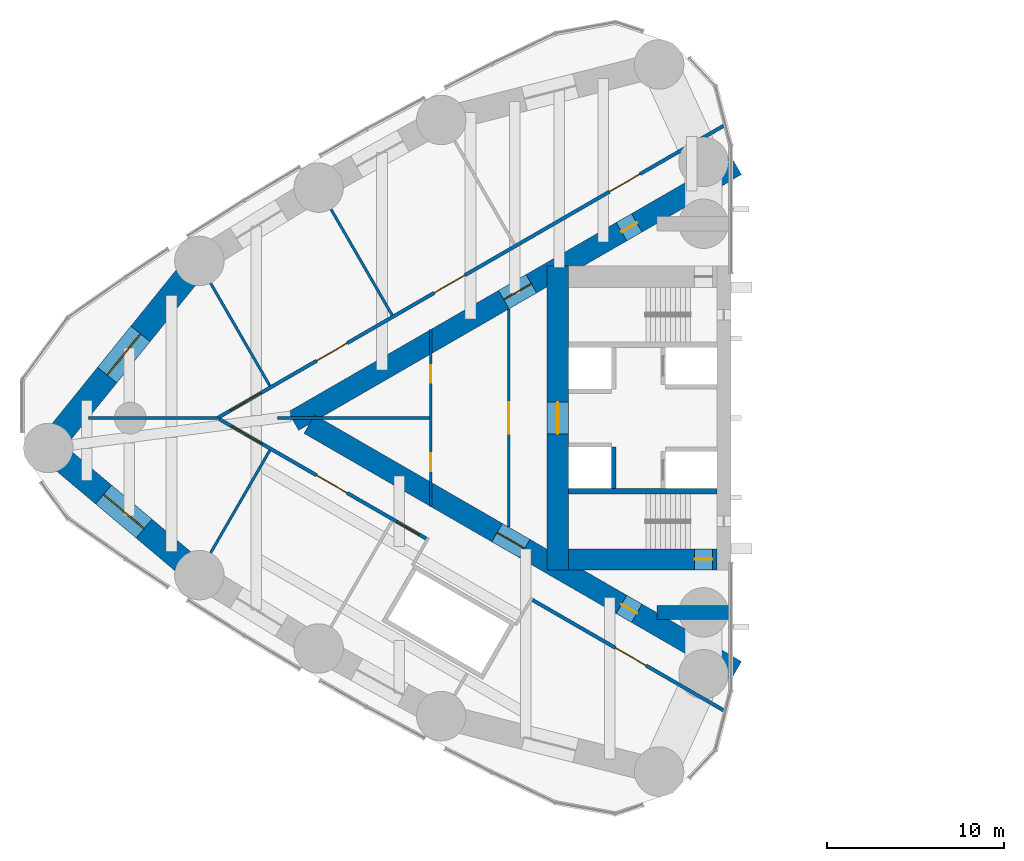
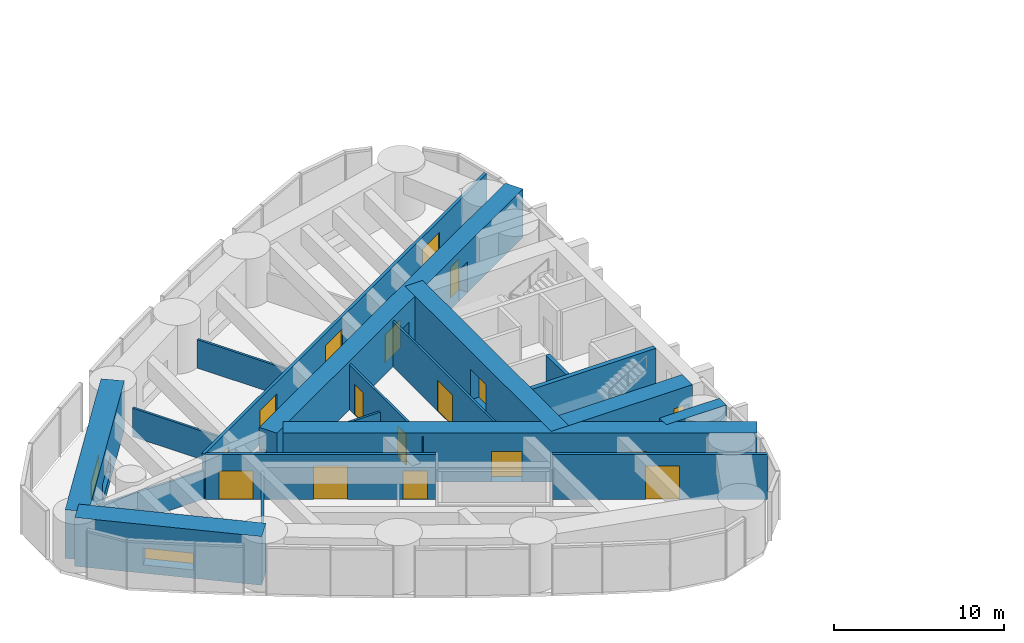
# One storey, part 12 of 17: 19 walls, 17 doors, 2 windows, 19 openings.
"""IFC4 building model written with IfcOpenShell, lengths in metres."""

import ifcopenshell
import ifcopenshell.guid

model = None  # the IFC model being written
_history = None  # IfcOwnerHistory: only IFC2X3 demands one
_inside = {}  # id of a spatial element -> (the spatial element, [elements in it])
_under = {}  # id of a project, library or spatial element -> (it, [spatial elements below it])
_declared = {}  # id of a project -> (the project, [libraries it declares])
_typed = {}  # id of a type object -> (the type object, [elements of that type])
_made_of = {}  # id of a material, layer set ... -> (it, [elements and type objects made of it])


def new_model(schema):
    """Start an empty IFC model of exactly this schema.

    Asked for "IFC4X3", IfcOpenShell would pick the latest addendum, in which some entities
    have other attributes; the version numbers below select the first issue.
    IFC2X3 requires an IfcOwnerHistory on every rooted entity: one is made here for all.
    """
    global model, _history
    if schema == "IFC4X3":
        model = ifcopenshell.file(schema_version=(4, 3, 0, 0))
    else:
        model = ifcopenshell.file(schema=schema)
    _inside.clear()
    _under.clear()
    _declared.clear()
    _typed.clear()
    _made_of.clear()
    _history = None
    if model.schema == "IFC2X3":
        org = make("IfcOrganization", Name="unknown")
        user = make(
            "IfcPersonAndOrganization",
            ThePerson=make("IfcPerson", FamilyName="unknown"),
            TheOrganization=org,
        )
        app = make(
            "IfcApplication",
            ApplicationDeveloper=org,
            Version="unknown",
            ApplicationFullName="unknown",
            ApplicationIdentifier="unknown",
        )
        _history = make(
            "IfcOwnerHistory",
            OwningUser=user,
            OwningApplication=app,
            ChangeAction="ADDED",
            CreationDate=0,
        )
    return model


def make(cls, **values):
    """One entity of the class cls with the attributes given. An attribute that is None is left unset."""
    return model.create_entity(
        cls, **{name: value for name, value in values.items() if value is not None}
    )


def rooted(cls, **values):
    """An entity with a GlobalId (a new one), such as an element, a storey or a relation."""
    return make(cls, GlobalId=ifcopenshell.guid.new(), OwnerHistory=_history, **values)


def si_unit(unit_type, name, prefix=None):
    """IfcSIUnit, for example si_unit("LENGTHUNIT", "METRE", prefix="MILLI")."""
    return make("IfcSIUnit", UnitType=unit_type, Prefix=prefix, Name=name)


def assignment(units):
    """IfcUnitAssignment: the units of a project."""
    return None if units is None else make("IfcUnitAssignment", Units=units)


def point(xyz):
    """IfcCartesianPoint."""
    return None if xyz is None else make("IfcCartesianPoint", Coordinates=xyz)


def direction(xyz):
    """IfcDirection."""
    return None if xyz is None else make("IfcDirection", DirectionRatios=xyz)


def frame(location, z_axis=None, x_axis=None):
    """IfcAxis2Placement3D, a coordinate frame: its origin and axes. An axis left out is left unset."""
    return make(
        "IfcAxis2Placement3D",
        Location=point(location),
        Axis=direction(z_axis),
        RefDirection=direction(x_axis),
    )


def frame_2d(location, x_axis=None):
    """IfcAxis2Placement2D, a coordinate frame in the plane: its origin and x axis."""
    return make(
        "IfcAxis2Placement2D", Location=point(location), RefDirection=direction(x_axis)
    )


def origin():
    """The frame at (0, 0, 0) with its axes left unset."""
    return frame((0.0, 0.0, 0.0))


def place(relative_to, where):
    """IfcLocalPlacement: puts the frame where relative to a parent placement (None: the world)."""
    return make(
        "IfcLocalPlacement", PlacementRelTo=relative_to, RelativePlacement=where
    )


def context(
    kind, dimensions, precision=None, world=None, true_north=None, identifier=None
):
    """IfcGeometricRepresentationContext, for example the 3D "Model" context."""
    return make(
        "IfcGeometricRepresentationContext",
        ContextIdentifier=identifier,
        ContextType=kind,
        CoordinateSpaceDimension=dimensions,
        Precision=precision,
        WorldCoordinateSystem=world,
        TrueNorth=true_north,
    )


def subcontext(parent, identifier, kind, view, scale=None):
    """IfcGeometricRepresentationSubContext, for example "Body" below "Model"."""
    return make(
        "IfcGeometricRepresentationSubContext",
        ContextIdentifier=identifier,
        ContextType=kind,
        ParentContext=parent,
        TargetScale=scale,
        TargetView=view,
    )


def project(units=None, contexts=None):
    """IfcProject with its units and contexts."""
    return rooted(
        "IfcProject",
        Name="project",
        RepresentationContexts=contexts,
        UnitsInContext=assignment(units),
    )


def spatial(cls, under=None, at=None, **own):
    """A site, building, storey or space (cls), placed at a placement, below another one or the project."""
    s = rooted(cls, ObjectPlacement=at, **own)
    if under is not None:
        _under.setdefault(under.id(), (under, []))[1].append(s)
    return s


def profile(cls, at=None, kind="AREA", **sizes):
    """A parametric profile (cls). Its sizes go by their IFC names, for example OverallWidth=200.0."""
    return make(cls, ProfileType=kind, Position=at, **sizes)


def rectangle(**sizes):
    """IfcRectangleProfileDef."""
    return profile("IfcRectangleProfileDef", **sizes)


def extrude(swept, where, along, depth):
    """IfcExtrudedAreaSolid: the profile swept, set in the frame where, extruded along a direction by depth."""
    return make(
        "IfcExtrudedAreaSolid",
        SweptArea=swept,
        Position=where,
        ExtrudedDirection=direction(along),
        Depth=depth,
    )


def shape(context_of_items, identifier, shape_type, items):
    """IfcShapeRepresentation: the items that make up one representation, for example the "Body"."""
    return make(
        "IfcShapeRepresentation",
        ContextOfItems=context_of_items,
        RepresentationIdentifier=identifier,
        RepresentationType=shape_type,
        Items=items,
    )


def material(Name=None, Category=None):
    """IfcMaterial."""
    return make("IfcMaterial", Name=Name, Category=Category)


def layer(
    of_material, thickness, ventilated=None, Name=None, Category=None, Priority=None
):
    """IfcMaterialLayer: one layer of a wall or slab, of a material (None: an air gap)."""
    return make(
        "IfcMaterialLayer",
        Material=of_material,
        LayerThickness=thickness,
        IsVentilated=ventilated,
        Name=Name,
        Category=Category,
        Priority=Priority,
    )


def layer_set(layers, Name=None):
    """IfcMaterialLayerSet."""
    return make("IfcMaterialLayerSet", MaterialLayers=layers, LayerSetName=Name)


def made_of(thing, what):
    """Note that an element or type object is made of a material, layer set ...; save() writes the relation."""
    if what is not None:
        _made_of.setdefault(what.id(), (what, []))[1].append(thing)
    return thing


def type_object(cls, material=None, **own):
    """A type object (cls), such as IfcWallType, which elements share."""
    return made_of(rooted(cls, **own), material)


def element(
    cls,
    number,
    at=None,
    inside=None,
    cuts=None,
    type_object=None,
    material=None,
    context=None,
    identifier="Body",
    shape_type=None,
    held_by="IfcProductDefinitionShape",
    body=None,
    shapes=None,
    **own,
):
    """One element of the class cls, such as IfcWall. Its Tag is "e" and its number.

    at: its placement. inside: the storey or other place that contains it. cuts: it is an
    opening in that element (IfcRelVoidsElement). A single representation is given by context,
    identifier, shape_type and body (its items); several are given by shapes. held_by: the class
    of the entity that holds the representations. save() writes the other relations.
    """
    e = rooted(cls, Tag="e%d" % number, ObjectPlacement=at, **own)
    if body is not None:
        shapes = [shape(context, identifier, shape_type, body)]
    if shapes is not None:
        e.Representation = make(held_by, Representations=shapes)
    if inside is not None:
        _inside.setdefault(inside.id(), (inside, []))[1].append(e)
    if cuts is not None:
        rooted(
            "IfcRelVoidsElement", RelatingBuildingElement=cuts, RelatedOpeningElement=e
        )
    if type_object is not None:
        _typed.setdefault(type_object.id(), (type_object, []))[1].append(e)
    return made_of(e, material)


def fill(opening, filler):
    """IfcRelFillsElement: the door or window that sits in an opening."""
    return rooted(
        "IfcRelFillsElement",
        RelatingOpeningElement=opening,
        RelatedBuildingElement=filler,
    )


def aggregate(whole, parts):
    """IfcRelAggregates: a whole, such as a stair, and the parts it consists of."""
    return rooted("IfcRelAggregates", RelatingObject=whole, RelatedObjects=parts)


def save(model, path):
    """Write the relations noted so far, then the file.

    IfcRelAggregates (storeys below a building ...), IfcRelContainedInSpatialStructure (elements
    in a storey), IfcRelDefinesByType, IfcRelAssociatesMaterial and IfcRelDeclares: one each for
    every whole, place, type object, material and project.
    """
    for whole, parts in _under.values():
        aggregate(whole, parts)
    for where, things in _inside.values():
        rooted(
            "IfcRelContainedInSpatialStructure",
            RelatedElements=things,
            RelatingStructure=where,
        )
    for kind, things in _typed.values():
        rooted("IfcRelDefinesByType", RelatedObjects=things, RelatingType=kind)
    for what, things in _made_of.values():
        rooted("IfcRelAssociatesMaterial", RelatedObjects=things, RelatingMaterial=what)
    for by, libraries in _declared.values():
        rooted("IfcRelDeclares", RelatingContext=by, RelatedDefinitions=libraries)
    model.write(path)


model = new_model("IFC4")

# Units and contexts
model_context = context("Model", 3, precision=1e-05, world=origin(), true_north=direction((0.0, 1.0)))
body_context = subcontext(model_context, "Body", "Model", "MODEL_VIEW")
ifc_project = project(units=[si_unit("LENGTHUNIT", "METRE"), si_unit("AREAUNIT", "SQUARE_METRE"), si_unit("VOLUMEUNIT", "CUBIC_METRE"), si_unit("PLANEANGLEUNIT", "RADIAN"), si_unit("MASSUNIT", "GRAM", prefix="KILO")], contexts=[model_context])

# Site, building, storey
site_placement = place(None, origin())
site = spatial("IfcSite", under=ifc_project, at=site_placement, CompositionType="ELEMENT")
building_placement = place(site_placement, origin())
building = spatial("IfcBuilding", under=site, at=building_placement, Name="Lancet Gate Hotel", CompositionType="ELEMENT")
storey_placement = place(building_placement, frame((0.0, 0.0, 201.800048828125)))
storey = spatial("IfcBuildingStorey", under=building, at=storey_placement, Name="L54", CompositionType="ELEMENT", Elevation=201.800048828125)

# Wall, opening, window
ifc_material_1 = material(Name="Concrete C80/95", Category="concrete")
ifc_layer_1 = layer(ifc_material_1, 1.39990234375)
ifc_layer_set_1 = layer_set([ifc_layer_1], Name="Belt wall 1400")
wall_type_1 = type_object("IfcWallType", Name="Belt wall 1400", PredefinedType="SHEAR", material=ifc_layer_set_1)
wall_1_placement = place(storey_placement, frame((-57.589599609375, 8.89306640625, 0.0), z_axis=(0.0, 0.0, 1.0), x_axis=(-0.628373846765, -0.777911504416, 0.0)))
wall_1 = element("IfcWall", 1, at=wall_1_placement, inside=storey, type_object=wall_type_1, Name="T1 belt wall OS3-CA L54", PredefinedType="SHEAR", context=body_context, shape_type="SweptSolid", body=[
    extrude(rectangle(XDim=13.611328125, YDim=1.39990234375, at=frame_2d((6.8056640625, 0.0))), origin(), (0.0, 0.0, 1.0), 3.5),
])
opening_1_placement = place(wall_1_placement, frame((5.3056640625, 0.0, 0.60009765625)))
opening_1 = element("IfcOpeningElement", 2, at=opening_1_placement, cuts=wall_1, Name="Opening LV1", PredefinedType="OPENING", context=body_context, shape_type="SweptSolid", body=[
    extrude(rectangle(XDim=3.0, YDim=1.199951171875, at=frame_2d((1.5, 0.60009765625))), frame((0.0, 0.7099609375, 0.0), z_axis=(0.0, -1.0, 0.0), x_axis=(1.0, 0.0, 0.0)), (0.0, 0.0, 1.0), 1.419921875),
])
ifc_material_2 = material(Name="Aluminium weather louvre", Category="aluminium")
window_type = type_object("IfcWindowType", Name="Refuge louvre 3000x1200", PartitioningType="SINGLE_PANEL", PredefinedType="WINDOW", material=ifc_material_2)
window_1_placement = place(opening_1_placement, origin())
window_1 = element("IfcWindow", 3, at=window_1_placement, inside=storey, type_object=window_type, Name="T1 belt louvre OS3-CA L54", OverallHeight=1.199951171875, OverallWidth=3.0, PartitioningType="SINGLE_PANEL", PredefinedType="WINDOW", context=body_context, shape_type="SweptSolid", body=[
    extrude(rectangle(XDim=3.0, YDim=1.199951171875, at=frame_2d((1.5, 0.60009765625))), frame((0.0, 0.030029296875, 0.0), z_axis=(0.0, -1.0, 0.0), x_axis=(1.0, 0.0, 0.0)), (0.0, 0.0, 1.0), 0.06005859375),
])
fill(opening_1, window_1)

wall_2_placement = place(storey_placement, frame((-66.142578125, -1.6953125, 0.0), z_axis=(0.0, 0.0, 1.0), x_axis=(0.765120708367, -0.64388687021, 0.0)))
wall_2 = element("IfcWall", 4, at=wall_2_placement, inside=storey, type_object=wall_type_1, Name="T1 belt wall CA-ON1 L54", PredefinedType="SHEAR", context=body_context, shape_type="SweptSolid", body=[
    extrude(rectangle(XDim=11.1787109375, YDim=1.39990234375, at=frame_2d((5.58935546875, 0.0))), origin(), (0.0, 0.0, 1.0), 3.5),
])
opening_2_placement = place(wall_2_placement, frame((4.08935546875, 0.0, 0.60009765625)))
opening_2 = element("IfcOpeningElement", 5, at=opening_2_placement, cuts=wall_2, Name="Opening LV1", PredefinedType="OPENING", context=body_context, shape_type="SweptSolid", body=[
    extrude(rectangle(XDim=3.0, YDim=1.199951171875, at=frame_2d((1.5, 0.60009765625))), frame((0.0, 0.7099609375, 0.0), z_axis=(0.0, -1.0, 0.0), x_axis=(1.0, 0.0, 0.0)), (0.0, 0.0, 1.0), 1.419921875),
])
window_2_placement = place(opening_2_placement, origin())
window_2 = element("IfcWindow", 6, at=window_2_placement, inside=storey, type_object=window_type, Name="T1 belt louvre CA-ON1 L54", OverallHeight=1.199951171875, OverallWidth=3.0, PartitioningType="SINGLE_PANEL", PredefinedType="WINDOW", context=body_context, shape_type="SweptSolid", body=[
    extrude(rectangle(XDim=3.0, YDim=1.199951171875, at=frame_2d((1.5, 0.60009765625))), frame((0.0, 0.030029296875, 0.0), z_axis=(0.0, -1.0, 0.0), x_axis=(1.0, 0.0, 0.0)), (0.0, 0.0, 1.0), 0.06005859375),
])
fill(opening_2, window_2)

# Wall, openings, doors
ifc_material_3 = material(Name="Concrete C70/85", Category="concrete")
ifc_layer_2 = layer(ifc_material_3, 1.199951171875)
ifc_layer_set_2 = layer_set([ifc_layer_2], Name="Buttress wall 1200")
wall_type_2 = type_object("IfcWallType", Name="Buttress wall 1200", PredefinedType="SHEAR", material=ifc_layer_set_2)
wall_3_placement = place(storey_placement, frame((-27.199951171875, 14.300048828125, 0.0), z_axis=(0.0, 0.0, 1.0), x_axis=(-0.866026593062, -0.499997940104, 0.0)))
wall_3 = element("IfcWall", 7, at=wall_3_placement, inside=storey, type_object=wall_type_2, Name="T1 buttress wall S L54", PredefinedType="SHEAR", context=body_context, shape_type="SweptSolid", body=[
    extrude(rectangle(XDim=28.9462890625, YDim=1.199951171875, at=frame_2d((14.47314453125, 0.0))), origin(), (0.0, 0.0, 1.0), 3.5),
])
opening_3_placement = place(wall_3_placement, frame((6.5, 0.0, 0.0)))
opening_3 = element("IfcOpeningElement", 8, at=opening_3_placement, cuts=wall_3, Name="Opening T1-L54-LS", PredefinedType="OPENING", context=body_context, shape_type="SweptSolid", body=[
    extrude(rectangle(XDim=1.0, YDim=2.199951171875, at=frame_2d((0.5, 1.10009765625))), frame((0.0, 0.60986328125, 0.0), z_axis=(0.0, -1.0, 0.0), x_axis=(1.0, 0.0, 0.0)), (0.0, 0.0, 1.0), 1.219970703125),
])
opening_4_placement = place(wall_3_placement, frame((13.39453125, 0.0, 0.0)))
opening_4 = element("IfcOpeningElement", 9, at=opening_4_placement, cuts=wall_3, Name="Opening T1-L54-LHS", PredefinedType="OPENING", context=body_context, shape_type="SweptSolid", body=[
    extrude(rectangle(XDim=1.800048828125, YDim=2.030029296875, at=frame_2d((0.89990234375, 1.01513671875))), frame((0.0, 0.60986328125, 0.0), z_axis=(0.0, -1.0, 0.0), x_axis=(1.0, 0.0, 0.0)), (0.0, 0.0, 1.0), 1.219970703125),
])
ifc_material_4 = material(Name="Timber door set", Category="wood")
door_type_1 = type_object("IfcDoorType", Name="Lobby double door 1800, 2030 high", OperationType="DOUBLE_DOOR_SINGLE_SWING", PredefinedType="DOOR", material=ifc_material_4)
door_1_placement = place(opening_4_placement, origin())
door_1 = element("IfcDoor", 10, at=door_1_placement, inside=storey, type_object=door_type_1, Name="T1-L54-LHS", OperationType="DOUBLE_DOOR_SINGLE_SWING", OverallHeight=2.030029296875, OverallWidth=1.800048828125, PredefinedType="DOOR", context=body_context, shape_type="SweptSolid", body=[
    extrude(rectangle(XDim=1.800048828125, YDim=2.030029296875, at=frame_2d((0.89990234375, 1.01513671875))), frame((0.0, 0.02490234375, 0.0), z_axis=(0.0, -1.0, 0.0), x_axis=(1.0, 0.0, 0.0)), (0.0, 0.0, 1.0), 0.050048828125),
])
fill(opening_4, door_1)
ifc_material_5 = material(Name="Timber door set", Category="wood")
door_type_2 = type_object("IfcDoorType", Name="Stair lobby door 1000", OperationType="SINGLE_SWING_LEFT", PredefinedType="DOOR", material=ifc_material_5)
door_2_placement = place(opening_3_placement, origin())
door_2 = element("IfcDoor", 11, at=door_2_placement, inside=storey, type_object=door_type_2, Name="T1-L54-LS", OperationType="SINGLE_SWING_LEFT", OverallHeight=2.199951171875, OverallWidth=1.0, PredefinedType="DOOR", context=body_context, shape_type="SweptSolid", body=[
    extrude(rectangle(XDim=1.0, YDim=2.199951171875, at=frame_2d((0.5, 1.10009765625))), frame((0.0, 0.02490234375, 0.0), z_axis=(0.0, -1.0, 0.0), x_axis=(1.0, 0.0, 0.0)), (0.0, 0.0, 1.0), 0.050048828125),
])
fill(opening_3, door_2)

wall_4_placement = place(storey_placement, frame((-27.199951171875, -14.300048828125, 0.0), z_axis=(0.0, 0.0, 1.0), x_axis=(-0.866024021859, 0.500002393557, 0.0)))
wall_4 = element("IfcWall", 12, at=wall_4_placement, inside=storey, type_object=wall_type_2, Name="T1 buttress wall N L54", PredefinedType="SHEAR", context=body_context, shape_type="SweptSolid", body=[
    extrude(rectangle(XDim=27.906982421875, YDim=1.199951171875, at=frame_2d((13.95361328125, 0.0))), origin(), (0.0, 0.0, 1.0), 3.5),
])
opening_5_placement = place(wall_4_placement, frame((6.5, 0.0, 0.0)))
opening_5 = element("IfcOpeningElement", 13, at=opening_5_placement, cuts=wall_4, Name="Opening T1-L54-LN", PredefinedType="OPENING", context=body_context, shape_type="SweptSolid", body=[
    extrude(rectangle(XDim=1.0, YDim=2.199951171875, at=frame_2d((0.5, 1.10009765625))), frame((0.0, 0.60986328125, 0.0), z_axis=(0.0, -1.0, 0.0), x_axis=(1.0, 0.0, 0.0)), (0.0, 0.0, 1.0), 1.219970703125),
])
opening_6_placement = place(wall_4_placement, frame((13.8291015625, 0.0, 0.0)))
opening_6 = element("IfcOpeningElement", 14, at=opening_6_placement, cuts=wall_4, Name="Opening T1-L54-LHN", PredefinedType="OPENING", context=body_context, shape_type="SweptSolid", body=[
    extrude(rectangle(XDim=1.800048828125, YDim=2.199951171875, at=frame_2d((0.89990234375, 1.10009765625))), frame((0.0, 0.60986328125, 0.0), z_axis=(0.0, -1.0, 0.0), x_axis=(1.0, 0.0, 0.0)), (0.0, 0.0, 1.0), 1.219970703125),
])
ifc_material_6 = material(Name="Timber door set", Category="wood")
door_type_3 = type_object("IfcDoorType", Name="Lobby double door 1800", OperationType="DOUBLE_DOOR_SINGLE_SWING", PredefinedType="DOOR", material=ifc_material_6)
door_3_placement = place(opening_6_placement, origin())
door_3 = element("IfcDoor", 15, at=door_3_placement, inside=storey, type_object=door_type_3, Name="T1-L54-LHN", OperationType="DOUBLE_DOOR_SINGLE_SWING", OverallHeight=2.199951171875, OverallWidth=1.800048828125, PredefinedType="DOOR", context=body_context, shape_type="SweptSolid", body=[
    extrude(rectangle(XDim=1.800048828125, YDim=2.199951171875, at=frame_2d((0.89990234375, 1.10009765625))), frame((0.0, 0.02490234375, 0.0), z_axis=(0.0, -1.0, 0.0), x_axis=(1.0, 0.0, 0.0)), (0.0, 0.0, 1.0), 0.050048828125),
])
fill(opening_6, door_3)
door_4_placement = place(opening_5_placement, origin())
door_4 = element("IfcDoor", 16, at=door_4_placement, inside=storey, type_object=door_type_2, Name="T1-L54-LN", OperationType="SINGLE_SWING_LEFT", OverallHeight=2.199951171875, OverallWidth=1.0, PredefinedType="DOOR", context=body_context, shape_type="SweptSolid", body=[
    extrude(rectangle(XDim=1.0, YDim=2.199951171875, at=frame_2d((0.5, 1.10009765625))), frame((0.0, 0.02490234375, 0.0), z_axis=(0.0, -1.0, 0.0), x_axis=(1.0, 0.0, 0.0)), (0.0, 0.0, 1.0), 0.050048828125),
])
fill(opening_5, door_4)

# Wall, opening, door
ifc_material_7 = material(Name="Concrete C70/85", Category="concrete")
ifc_layer_3 = layer(ifc_material_7, 1.199951171875)
ifc_layer_set_3 = layer_set([ifc_layer_3], Name="Core wall 1200")
wall_type_3 = type_object("IfcWallType", Name="Core wall 1200", PredefinedType="SHEAR", material=ifc_layer_set_3)
wall_5_placement = place(storey_placement, frame((-37.300048828125, 8.60009765625, 0.0), z_axis=(0.0, 0.0, 1.0), x_axis=(0.0, -1.0, 0.0)))
wall_5 = element("IfcWall", 17, at=wall_5_placement, inside=storey, type_object=wall_type_3, Name="T1 core wall back L54", PredefinedType="SHEAR", context=body_context, shape_type="SweptSolid", body=[
    extrude(rectangle(XDim=17.2001953125, YDim=1.199951171875, at=frame_2d((8.60009765625, 0.0))), origin(), (0.0, 0.0, 1.0), 3.5),
])
opening_7_placement = place(wall_5_placement, frame((7.699951171875, 0.0, 0.0)))
opening_7 = element("IfcOpeningElement", 18, at=opening_7_placement, cuts=wall_5, Name="Opening T1-L54-LL", PredefinedType="OPENING", context=body_context, shape_type="SweptSolid", body=[
    extrude(rectangle(XDim=1.800048828125, YDim=2.199951171875, at=frame_2d((0.89990234375, 1.10009765625))), frame((0.0, 0.60986328125, 0.0), z_axis=(0.0, -1.0, 0.0), x_axis=(1.0, 0.0, 0.0)), (0.0, 0.0, 1.0), 1.219970703125),
])
door_5_placement = place(opening_7_placement, origin())
door_5 = element("IfcDoor", 19, at=door_5_placement, inside=storey, type_object=door_type_3, Name="T1-L54-LL", OperationType="DOUBLE_DOOR_SINGLE_SWING", OverallHeight=2.199951171875, OverallWidth=1.800048828125, PredefinedType="DOOR", context=body_context, shape_type="SweptSolid", body=[
    extrude(rectangle(XDim=1.800048828125, YDim=2.199951171875, at=frame_2d((0.89990234375, 1.10009765625))), frame((0.0, 0.02490234375, 0.0), z_axis=(0.0, -1.0, 0.0), x_axis=(1.0, 0.0, 0.0)), (0.0, 0.0, 1.0), 0.050048828125),
])
fill(opening_7, door_5)

wall_6_placement = place(storey_placement, frame((-28.300048828125, -8.0, 0.0), z_axis=(0.0, 0.0, 1.0), x_axis=(-1.0, 0.0, 0.0)))
wall_6 = element("IfcWall", 20, at=wall_6_placement, inside=storey, type_object=wall_type_3, Name="T1 core wall side-N L54", PredefinedType="SHEAR", context=body_context, shape_type="SweptSolid", body=[
    extrude(rectangle(XDim=8.39990234375, YDim=1.199951171875, at=frame_2d((4.199951171875, 0.0))), origin(), (0.0, 0.0, 1.0), 3.5),
])
opening_8_placement = place(wall_6_placement, frame((0.25, 0.0, 0.0)))
opening_8 = element("IfcOpeningElement", 21, at=opening_8_placement, cuts=wall_6, Name="Opening T1-L54-ST2", PredefinedType="OPENING", context=body_context, shape_type="SweptSolid", body=[
    extrude(rectangle(XDim=1.0, YDim=2.199951171875, at=frame_2d((0.5, 1.10009765625))), frame((0.0, 0.60986328125, 0.0), z_axis=(0.0, -1.0, 0.0), x_axis=(1.0, 0.0, 0.0)), (0.0, 0.0, 1.0), 1.219970703125),
])
ifc_material_8 = material(Name="Timber door set", Category="wood")
door_type_4 = type_object("IfcDoorType", Name="Stair door 1000", OperationType="SINGLE_SWING_RIGHT", PredefinedType="DOOR", material=ifc_material_8)
door_6_placement = place(opening_8_placement, origin())
door_6 = element("IfcDoor", 22, at=door_6_placement, inside=storey, type_object=door_type_4, Name="T1-L54-ST2", OperationType="SINGLE_SWING_RIGHT", OverallHeight=2.199951171875, OverallWidth=1.0, PredefinedType="DOOR", context=body_context, shape_type="SweptSolid", body=[
    extrude(rectangle(XDim=1.0, YDim=2.199951171875, at=frame_2d((0.5, 1.10009765625))), frame((0.0, 0.02490234375, 0.0), z_axis=(0.0, -1.0, 0.0), x_axis=(1.0, 0.0, 0.0)), (0.0, 0.0, 1.0), 0.050048828125),
])
fill(opening_8, door_6)

# Wall, openings, doors
ifc_material_9 = material(Name="Gypsum board partition")
ifc_layer_4 = layer(ifc_material_9, 0.199951171875)
ifc_layer_set_4 = layer_set([ifc_layer_4], Name="Corridor wall 200")
wall_type_4 = type_object("IfcWallType", Name="Corridor wall 200", PredefinedType="PARTITIONING", material=ifc_layer_set_4)
wall_7_placement = place(storey_placement, frame((-27.802978515625, 16.607666015625, 0.0), z_axis=(0.0, 0.0, 1.0), x_axis=(-0.866025851808, -0.499999223999, 0.0)))
wall_7 = element("IfcWall", 23, at=wall_7_placement, inside=storey, type_object=wall_type_4, Name="T1 corridor wall 200 L54", PredefinedType="PARTITIONING", context=body_context, shape_type="SweptSolid", body=[
    extrude(rectangle(XDim=33.21533203125, YDim=0.199951171875, at=frame_2d((16.607666015625, 0.0))), origin(), (0.0, 0.0, 1.0), 3.25),
])
opening_9_placement = place(wall_7_placement, frame((5.583984375, 0.0, 0.0)))
opening_9 = element("IfcOpeningElement", 24, at=opening_9_placement, cuts=wall_7, Name="Opening T1-L54-C01", PredefinedType="OPENING", context=body_context, shape_type="SweptSolid", body=[
    extrude(rectangle(XDim=2.0, YDim=2.39990234375, at=frame_2d((1.0, 1.199951171875))), frame((0.0, 0.10986328125, 0.0), z_axis=(0.0, -1.0, 0.0), x_axis=(1.0, 0.0, 0.0)), (0.0, 0.0, 1.0), 0.219970703125),
])
opening_10_placement = place(wall_7_placement, frame((17.0400390625, 0.0, 0.0)))
opening_10 = element("IfcOpeningElement", 25, at=opening_10_placement, cuts=wall_7, Name="Opening T1-L54-C02", PredefinedType="OPENING", context=body_context, shape_type="SweptSolid", body=[
    extrude(rectangle(XDim=2.0, YDim=2.39990234375, at=frame_2d((1.0, 1.199951171875))), frame((0.0, 0.10986328125, 0.0), z_axis=(0.0, -1.0, 0.0), x_axis=(1.0, 0.0, 0.0)), (0.0, 0.0, 1.0), 0.219970703125),
])
opening_11_placement = place(wall_7_placement, frame((24.735107421875, 0.0, 0.0)))
opening_11 = element("IfcOpeningElement", 26, at=opening_11_placement, cuts=wall_7, Name="Opening T1-L54-C03", PredefinedType="OPENING", context=body_context, shape_type="SweptSolid", body=[
    extrude(rectangle(XDim=2.0, YDim=2.39990234375, at=frame_2d((1.0, 1.199951171875))), frame((0.0, 0.10986328125, 0.0), z_axis=(0.0, -1.0, 0.0), x_axis=(1.0, 0.0, 0.0)), (0.0, 0.0, 1.0), 0.219970703125),
])
opening_12_placement = place(wall_7_placement, frame((30.361328125, 0.0, 0.0)))
opening_12 = element("IfcOpeningElement", 27, at=opening_12_placement, cuts=wall_7, Name="Opening T1-L54-C04", PredefinedType="OPENING", context=body_context, shape_type="SweptSolid", body=[
    extrude(rectangle(XDim=2.0, YDim=2.030029296875, at=frame_2d((1.0, 1.01513671875))), frame((0.0, 0.10986328125, 0.0), z_axis=(0.0, -1.0, 0.0), x_axis=(1.0, 0.0, 0.0)), (0.0, 0.0, 1.0), 0.219970703125),
])
ifc_material_10 = material(Name="Timber door set", Category="wood")
door_type_5 = type_object("IfcDoorType", Name="Plant room double door 2000", OperationType="DOUBLE_DOOR_SINGLE_SWING", PredefinedType="DOOR", material=ifc_material_10)
door_7_placement = place(opening_9_placement, origin())
door_7 = element("IfcDoor", 28, at=door_7_placement, inside=storey, type_object=door_type_5, Name="T1-L54-C01", OperationType="DOUBLE_DOOR_SINGLE_SWING", OverallHeight=2.39990234375, OverallWidth=2.0, PredefinedType="DOOR", context=body_context, shape_type="SweptSolid", body=[
    extrude(rectangle(XDim=2.0, YDim=2.39990234375, at=frame_2d((1.0, 1.199951171875))), frame((0.0, 0.02490234375, 0.0), z_axis=(0.0, -1.0, 0.0), x_axis=(1.0, 0.0, 0.0)), (0.0, 0.0, 1.0), 0.050048828125),
])
fill(opening_9, door_7)
door_8_placement = place(opening_10_placement, origin())
door_8 = element("IfcDoor", 29, at=door_8_placement, inside=storey, type_object=door_type_5, Name="T1-L54-C02", OperationType="DOUBLE_DOOR_SINGLE_SWING", OverallHeight=2.39990234375, OverallWidth=2.0, PredefinedType="DOOR", context=body_context, shape_type="SweptSolid", body=[
    extrude(rectangle(XDim=2.0, YDim=2.39990234375, at=frame_2d((1.0, 1.199951171875))), frame((0.0, 0.02490234375, 0.0), z_axis=(0.0, -1.0, 0.0), x_axis=(1.0, 0.0, 0.0)), (0.0, 0.0, 1.0), 0.050048828125),
])
fill(opening_10, door_8)
door_9_placement = place(opening_11_placement, origin())
door_9 = element("IfcDoor", 30, at=door_9_placement, inside=storey, type_object=door_type_5, Name="T1-L54-C03", OperationType="DOUBLE_DOOR_SINGLE_SWING", OverallHeight=2.39990234375, OverallWidth=2.0, PredefinedType="DOOR", context=body_context, shape_type="SweptSolid", body=[
    extrude(rectangle(XDim=2.0, YDim=2.39990234375, at=frame_2d((1.0, 1.199951171875))), frame((0.0, 0.02490234375, 0.0), z_axis=(0.0, -1.0, 0.0), x_axis=(1.0, 0.0, 0.0)), (0.0, 0.0, 1.0), 0.050048828125),
])
fill(opening_11, door_9)
ifc_material_11 = material(Name="Timber door set", Category="wood")
door_type_6 = type_object("IfcDoorType", Name="Plant room double door 2000, 2030 high", OperationType="DOUBLE_DOOR_SINGLE_SWING", PredefinedType="DOOR", material=ifc_material_11)
door_10_placement = place(opening_12_placement, origin())
door_10 = element("IfcDoor", 31, at=door_10_placement, inside=storey, type_object=door_type_6, Name="T1-L54-C04", OperationType="DOUBLE_DOOR_SINGLE_SWING", OverallHeight=2.030029296875, OverallWidth=2.0, PredefinedType="DOOR", context=body_context, shape_type="SweptSolid", body=[
    extrude(rectangle(XDim=2.0, YDim=2.030029296875, at=frame_2d((1.0, 1.01513671875))), frame((0.0, 0.02490234375, 0.0), z_axis=(0.0, -1.0, 0.0), x_axis=(1.0, 0.0, 0.0)), (0.0, 0.0, 1.0), 0.050048828125),
])
fill(opening_12, door_10)

# Wall, opening, door
wall_8_placement = place(storey_placement, frame((-27.802978515625, -16.607666015625, 0.0), z_axis=(0.0, 0.0, 1.0), x_axis=(-0.866028577512, 0.499994502903, 0.0)))
wall_8 = element("IfcWall", 32, at=wall_8_placement, inside=storey, type_object=wall_type_4, Name="T1 corridor wall 200 L54", PredefinedType="PARTITIONING", context=body_context, shape_type="SweptSolid", body=[
    extrude(rectangle(XDim=12.688232421875, YDim=0.199951171875, at=frame_2d((6.34423828125, 0.0))), origin(), (0.0, 0.0, 1.0), 3.25),
])
opening_13_placement = place(wall_8_placement, frame((5.194091796875, 0.0, 0.0)))
opening_13 = element("IfcOpeningElement", 33, at=opening_13_placement, cuts=wall_8, Name="Opening T1-L54-C08", PredefinedType="OPENING", context=body_context, shape_type="SweptSolid", body=[
    extrude(rectangle(XDim=2.0, YDim=2.39990234375, at=frame_2d((1.0, 1.199951171875))), frame((0.0, 0.10986328125, 0.0), z_axis=(0.0, -1.0, 0.0), x_axis=(1.0, 0.0, 0.0)), (0.0, 0.0, 1.0), 0.219970703125),
])
door_11_placement = place(opening_13_placement, origin())
door_11 = element("IfcDoor", 34, at=door_11_placement, inside=storey, type_object=door_type_5, Name="T1-L54-C08", OperationType="DOUBLE_DOOR_SINGLE_SWING", OverallHeight=2.39990234375, OverallWidth=2.0, PredefinedType="DOOR", context=body_context, shape_type="SweptSolid", body=[
    extrude(rectangle(XDim=2.0, YDim=2.39990234375, at=frame_2d((1.0, 1.199951171875))), frame((0.0, 0.02490234375, 0.0), z_axis=(0.0, -1.0, 0.0), x_axis=(1.0, 0.0, 0.0)), (0.0, 0.0, 1.0), 0.050048828125),
])
fill(opening_13, door_11)

# Wall, openings, doors
wall_9_placement = place(storey_placement, frame((-44.715087890625, -6.843505859375, 0.0), z_axis=(0.0, 0.0, 1.0), x_axis=(-0.866025261224, 0.500000246922, 0.0)))
wall_9 = element("IfcWall", 35, at=wall_9_placement, inside=storey, type_object=wall_type_4, Name="T1 corridor wall 200 L54", PredefinedType="PARTITIONING", context=body_context, shape_type="SweptSolid", body=[
    extrude(rectangle(XDim=13.56689453125, YDim=0.199951171875, at=frame_2d((6.783447265625, 0.0))), origin(), (0.0, 0.0, 1.0), 3.25),
])
opening_14_placement = place(wall_9_placement, frame((10.77294921875, 0.0, 0.0)))
opening_14 = element("IfcOpeningElement", 36, at=opening_14_placement, cuts=wall_9, Name="Opening T1-L54-C05", PredefinedType="OPENING", context=body_context, shape_type="SweptSolid", body=[
    extrude(rectangle(XDim=2.0, YDim=2.030029296875, at=frame_2d((1.0, 1.01513671875))), frame((0.0, 0.10986328125, 0.0), z_axis=(0.0, -1.0, 0.0), x_axis=(1.0, 0.0, 0.0)), (0.0, 0.0, 1.0), 0.219970703125),
])
opening_15_placement = place(wall_9_placement, frame((5.20703125, 0.0, 0.0)))
opening_15 = element("IfcOpeningElement", 37, at=opening_15_placement, cuts=wall_9, Name="Opening T1-L54-C06", PredefinedType="OPENING", context=body_context, shape_type="SweptSolid", body=[
    extrude(rectangle(XDim=2.0, YDim=2.39990234375, at=frame_2d((1.0, 1.199951171875))), frame((0.0, 0.10986328125, 0.0), z_axis=(0.0, -1.0, 0.0), x_axis=(1.0, 0.0, 0.0)), (0.0, 0.0, 1.0), 0.219970703125),
])
opening_16_placement = place(wall_9_placement, frame((0.5, 0.0, 0.0)))
opening_16 = element("IfcOpeningElement", 38, at=opening_16_placement, cuts=wall_9, Name="Opening T1-L54-C07", PredefinedType="OPENING", context=body_context, shape_type="SweptSolid", body=[
    extrude(rectangle(XDim=1.43505859375, YDim=2.030029296875, at=frame_2d((0.717529296875, 1.01513671875))), frame((0.0, 0.10986328125, 0.0), z_axis=(0.0, -1.0, 0.0), x_axis=(1.0, 0.0, 0.0)), (0.0, 0.0, 1.0), 0.219970703125),
])
ifc_material_12 = material(Name="Timber door set", Category="wood")
door_type_7 = type_object("IfcDoorType", Name="Guest room entry door 950, 2030 high", OperationType="SINGLE_SWING_LEFT", PredefinedType="DOOR", material=ifc_material_12)
door_12_placement = place(opening_16_placement, origin())
door_12 = element("IfcDoor", 39, at=door_12_placement, inside=storey, type_object=door_type_7, Name="T1-L54-C07", OperationType="SINGLE_SWING_LEFT", OverallHeight=2.030029296875, OverallWidth=1.43505859375, PredefinedType="DOOR", context=body_context, shape_type="SweptSolid", body=[
    extrude(rectangle(XDim=1.43505859375, YDim=2.030029296875, at=frame_2d((0.717529296875, 1.01513671875))), frame((0.0, 0.02490234375, 0.0), z_axis=(0.0, -1.0, 0.0), x_axis=(1.0, 0.0, 0.0)), (0.0, 0.0, 1.0), 0.050048828125),
])
fill(opening_16, door_12)
door_13_placement = place(opening_15_placement, origin())
door_13 = element("IfcDoor", 40, at=door_13_placement, inside=storey, type_object=door_type_5, Name="T1-L54-C06", OperationType="DOUBLE_DOOR_SINGLE_SWING", OverallHeight=2.39990234375, OverallWidth=2.0, PredefinedType="DOOR", context=body_context, shape_type="SweptSolid", body=[
    extrude(rectangle(XDim=2.0, YDim=2.39990234375, at=frame_2d((1.0, 1.199951171875))), frame((0.0, 0.02490234375, 0.0), z_axis=(0.0, -1.0, 0.0), x_axis=(1.0, 0.0, 0.0)), (0.0, 0.0, 1.0), 0.050048828125),
])
fill(opening_15, door_13)
door_14_placement = place(opening_14_placement, origin())
door_14 = element("IfcDoor", 41, at=door_14_placement, inside=storey, type_object=door_type_6, Name="T1-L54-C05", OperationType="DOUBLE_DOOR_SINGLE_SWING", OverallHeight=2.030029296875, OverallWidth=2.0, PredefinedType="DOOR", context=body_context, shape_type="SweptSolid", body=[
    extrude(rectangle(XDim=2.0, YDim=2.030029296875, at=frame_2d((1.0, 1.01513671875))), frame((0.0, 0.02490234375, 0.0), z_axis=(0.0, -1.0, 0.0), x_axis=(1.0, 0.0, 0.0)), (0.0, 0.0, 1.0), 0.050048828125),
])
fill(opening_14, door_14)

# Walls
ifc_material_13 = material(Name="Concrete C50/60", Category="concrete")
ifc_layer_5 = layer(ifc_material_13, 0.25)
ifc_layer_set_5 = layer_set([ifc_layer_5], Name="Lift shaft wall 250")
wall_type_5 = type_object("IfcWallType", Name="Lift shaft wall 250", PredefinedType="SHEAR", material=ifc_layer_set_5)
wall_10_placement = place(storey_placement, frame((-34.125, -1.64990234375, 0.0), z_axis=(0.0, 0.0, 1.0), x_axis=(0.0, -1.0, 0.0)))
element("IfcWall", 42, at=wall_10_placement, inside=storey, type_object=wall_type_5, Name="T1 core wall row2-N L54", PredefinedType="SHEAR", context=body_context, shape_type="SweptSolid", body=[
    extrude(rectangle(XDim=2.35009765625, YDim=0.25, at=frame_2d((1.175048828125, 0.0))), origin(), (0.0, 0.0, 1.0), 3.5),
])
ifc_material_14 = material(Name="Concrete C70/85", Category="concrete")
ifc_layer_6 = layer(ifc_material_14, 0.800048828125)
ifc_layer_set_6 = layer_set([ifc_layer_6], Name="Outrigger wall 800, truss lines")
wall_type_6 = type_object("IfcWallType", Name="Outrigger wall 800, truss lines", PredefinedType="SHEAR", material=ifc_layer_set_6)
wall_11_placement = place(storey_placement, frame((-27.6201171875, -11.0, 0.0), z_axis=(0.0, 0.0, 1.0), x_axis=(-1.0, 0.0, 0.0)))
element("IfcWall", 43, at=wall_11_placement, inside=storey, type_object=wall_type_6, Name="T1 transfer wall TS L54", PredefinedType="SHEAR", context=body_context, shape_type="SweptSolid", body=[
    extrude(rectangle(XDim=4.07568359375, YDim=0.800048828125, at=frame_2d((2.037841796875, 0.0))), origin(), (0.0, 0.0, 1.0), 3.5),
])
ifc_material_15 = material(Name="Gypsum board partition")
ifc_layer_7 = layer(ifc_material_15, 0.14990234375)
ifc_layer_set_7 = layer_set([ifc_layer_7], Name="Party wall 150")
wall_type_7 = type_object("IfcWallType", Name="Party wall 150", PredefinedType="PARTITIONING", material=ifc_layer_set_7)
wall_12_placement = place(storey_placement, frame((-46.6787109375, 5.8251953125, 0.0), z_axis=(0.0, 0.0, 1.0), x_axis=(-0.500006839597, 0.866021454905, 0.0)))
element("IfcWall", 44, at=wall_12_placement, inside=storey, type_object=wall_type_7, Name="T1 party wall 150 L54", PredefinedType="PARTITIONING", context=body_context, shape_type="SweptSolid", body=[
    extrude(rectangle(XDim=6.9111328125, YDim=0.14990234375, at=frame_2d((3.45556640625, 0.0))), origin(), (0.0, 0.0, 1.0), 2.050048828125),
])
for number, where, z_axis, x_axis, name in (
    (45, (-53.60205078125, 1.828125, 0.0), (0.0, 0.0, 1.0), (-0.49999191814, 0.866030069798, 0.0), "T1 party wall 150 L54"),
    (46, (-53.60205078125, -1.828125, 0.0), (0.0, 0.0, 1.0), (-0.49999191814, -0.866030069798, 0.0), "T1 party wall 150 L54"),
):
    element("IfcWall", number, at=place(storey_placement, frame(where, z_axis=z_axis, x_axis=x_axis)), inside=storey, type_object=wall_type_7, Name=name, PredefinedType="PARTITIONING", context=body_context, shape_type="SweptSolid", body=[
        extrude(rectangle(XDim=6.6923828125, YDim=0.14990234375, at=frame_2d((3.34619140625, 0.0))), origin(), (0.0, 0.0, 1.0), 2.050048828125),
    ])
wall_13_placement = place(storey_placement, frame((-56.568359375, 0.0, 0.0), z_axis=(0.0, 0.0, 1.0), x_axis=(-1.0, 0.0, 0.0)))
element("IfcWall", 47, at=wall_13_placement, inside=storey, type_object=wall_type_7, Name="T1 party wall 150 L54", PredefinedType="PARTITIONING", context=body_context, shape_type="SweptSolid", body=[
    extrude(rectangle(XDim=7.304931640625, YDim=0.14990234375, at=frame_2d((3.65234375, 0.0))), origin(), (0.0, 0.0, 1.0), 2.050048828125),
])

# Wall, opening, door
ifc_material_16 = material(Name="Gypsum board partition")
ifc_layer_8 = layer(ifc_material_16, 0.14990234375)
ifc_layer_set_8 = layer_set([ifc_layer_8], Name="Service room wall 150")
wall_type_8 = type_object("IfcWallType", Name="Service room wall 150", PredefinedType="PARTITIONING", material=ifc_layer_set_8)
wall_14_placement = place(storey_placement, frame((-40.074951171875, 6.173828125, 0.0), z_axis=(0.0, 0.0, 1.0), x_axis=(0.0, -1.0, 0.0)))
wall_14 = element("IfcWall", 48, at=wall_14_placement, inside=storey, type_object=wall_type_8, Name="T1 service room wall 150 L54", PredefinedType="PARTITIONING", context=body_context, shape_type="SweptSolid", body=[
    extrude(rectangle(XDim=12.34765625, YDim=0.14990234375, at=frame_2d((6.173828125, 0.0))), origin(), (0.0, 0.0, 1.0), 3.25),
])
opening_17_placement = place(wall_14_placement, frame((5.273681640625, 0.0, 0.0)))
opening_17 = element("IfcOpeningElement", 49, at=opening_17_placement, cuts=wall_14, Name="Opening T1-L54-LH", PredefinedType="OPENING", context=body_context, shape_type="SweptSolid", body=[
    extrude(rectangle(XDim=1.800048828125, YDim=2.199951171875, at=frame_2d((0.89990234375, 1.10009765625))), frame((0.0, 0.0849609375, 0.0), z_axis=(0.0, -1.0, 0.0), x_axis=(1.0, 0.0, 0.0)), (0.0, 0.0, 1.0), 0.169921875),
])
door_15_placement = place(opening_17_placement, origin())
door_15 = element("IfcDoor", 50, at=door_15_placement, inside=storey, type_object=door_type_3, Name="T1-L54-LH", OperationType="DOUBLE_DOOR_SINGLE_SWING", OverallHeight=2.199951171875, OverallWidth=1.800048828125, PredefinedType="DOOR", context=body_context, shape_type="SweptSolid", body=[
    extrude(rectangle(XDim=1.800048828125, YDim=2.199951171875, at=frame_2d((0.89990234375, 1.10009765625))), frame((0.0, 0.02490234375, 0.0), z_axis=(0.0, -1.0, 0.0), x_axis=(1.0, 0.0, 0.0)), (0.0, 0.0, 1.0), 0.050048828125),
])
fill(opening_17, door_15)

# Wall, openings, doors
wall_15_placement = place(storey_placement, frame((-44.5, 5.004638671875, 0.0), z_axis=(0.0, 0.0, 1.0), x_axis=(0.0, -1.0, 0.0)))
wall_15 = element("IfcWall", 51, at=wall_15_placement, inside=storey, type_object=wall_type_8, Name="T1 service room wall 150 L54", PredefinedType="PARTITIONING", context=body_context, shape_type="SweptSolid", body=[
    extrude(rectangle(XDim=10.00927734375, YDim=0.14990234375, at=frame_2d((5.004638671875, 0.0))), origin(), (0.0, 0.0, 1.0), 3.25),
])
opening_18_placement = place(wall_15_placement, frame((2.002197265625, 0.0, 0.0)))
opening_18 = element("IfcOpeningElement", 52, at=opening_18_placement, cuts=wall_15, Name="Opening T1-L54-SV", PredefinedType="OPENING", context=body_context, shape_type="SweptSolid", body=[
    extrude(rectangle(XDim=1.0, YDim=2.199951171875, at=frame_2d((0.5, 1.10009765625))), frame((0.0, 0.0849609375, 0.0), z_axis=(0.0, -1.0, 0.0), x_axis=(1.0, 0.0, 0.0)), (0.0, 0.0, 1.0), 0.169921875),
])
opening_19_placement = place(wall_15_placement, frame((7.0068359375, 0.0, 0.0)))
opening_19 = element("IfcOpeningElement", 53, at=opening_19_placement, cuts=wall_15, Name="Opening T1-L54-SV2", PredefinedType="OPENING", context=body_context, shape_type="SweptSolid", body=[
    extrude(rectangle(XDim=1.0, YDim=2.199951171875, at=frame_2d((0.5, 1.10009765625))), frame((0.0, 0.0849609375, 0.0), z_axis=(0.0, -1.0, 0.0), x_axis=(1.0, 0.0, 0.0)), (0.0, 0.0, 1.0), 0.169921875),
])
ifc_material_17 = material(Name="Timber door set", Category="wood")
door_type_8 = type_object("IfcDoorType", Name="Service door 1000", OperationType="SINGLE_SWING_LEFT", PredefinedType="DOOR", material=ifc_material_17)
door_16_placement = place(opening_18_placement, origin())
door_16 = element("IfcDoor", 54, at=door_16_placement, inside=storey, type_object=door_type_8, Name="T1-L54-SV", OperationType="SINGLE_SWING_LEFT", OverallHeight=2.199951171875, OverallWidth=1.0, PredefinedType="DOOR", context=body_context, shape_type="SweptSolid", body=[
    extrude(rectangle(XDim=1.0, YDim=2.199951171875, at=frame_2d((0.5, 1.10009765625))), frame((0.0, 0.02490234375, 0.0), z_axis=(0.0, -1.0, 0.0), x_axis=(1.0, 0.0, 0.0)), (0.0, 0.0, 1.0), 0.050048828125),
])
fill(opening_18, door_16)
door_17_placement = place(opening_19_placement, origin())
door_17 = element("IfcDoor", 55, at=door_17_placement, inside=storey, type_object=door_type_8, Name="T1-L54-SV2", OperationType="SINGLE_SWING_LEFT", OverallHeight=2.199951171875, OverallWidth=1.0, PredefinedType="DOOR", context=body_context, shape_type="SweptSolid", body=[
    extrude(rectangle(XDim=1.0, YDim=2.199951171875, at=frame_2d((0.5, 1.10009765625))), frame((0.0, 0.02490234375, 0.0), z_axis=(0.0, -1.0, 0.0), x_axis=(1.0, 0.0, 0.0)), (0.0, 0.0, 1.0), 0.050048828125),
])
fill(opening_19, door_17)

# Walls
wall_16_placement = place(storey_placement, frame((-44.574951171875, 0.0, 0.0), z_axis=(0.0, 0.0, 1.0), x_axis=(-1.0, 0.0, 0.0)))
element("IfcWall", 56, at=wall_16_placement, inside=storey, type_object=wall_type_8, Name="T1 service room wall 150 L54", PredefinedType="PARTITIONING", context=body_context, shape_type="SweptSolid", body=[
    extrude(rectangle(XDim=8.59326171875, YDim=0.14990234375, at=frame_2d((4.296630859375, 0.0))), origin(), (0.0, 0.0, 1.0), 2.050048828125),
])
ifc_material_18 = material(Name="Concrete C50/60", Category="concrete")
ifc_layer_9 = layer(ifc_material_18, 0.300048828125)
ifc_layer_set_9 = layer_set([ifc_layer_9], Name="Stair enclosure wall 300")
wall_type_9 = type_object("IfcWallType", Name="Stair enclosure wall 300", PredefinedType="SHEAR", material=ifc_layer_set_9)
wall_17_placement = place(storey_placement, frame((-28.300048828125, -4.14990234375, 0.0), z_axis=(0.0, 0.0, 1.0), x_axis=(-1.0, 0.0, 0.0)))
element("IfcWall", 57, at=wall_17_placement, inside=storey, type_object=wall_type_9, Name="T1 core wall stair-N L54", PredefinedType="SHEAR", context=body_context, shape_type="SweptSolid", body=[
    extrude(rectangle(XDim=8.39990234375, YDim=0.300048828125, at=frame_2d((4.199951171875, 0.0))), origin(), (0.0, 0.0, 1.0), 3.5),
])

save(model, "model.ifc")
